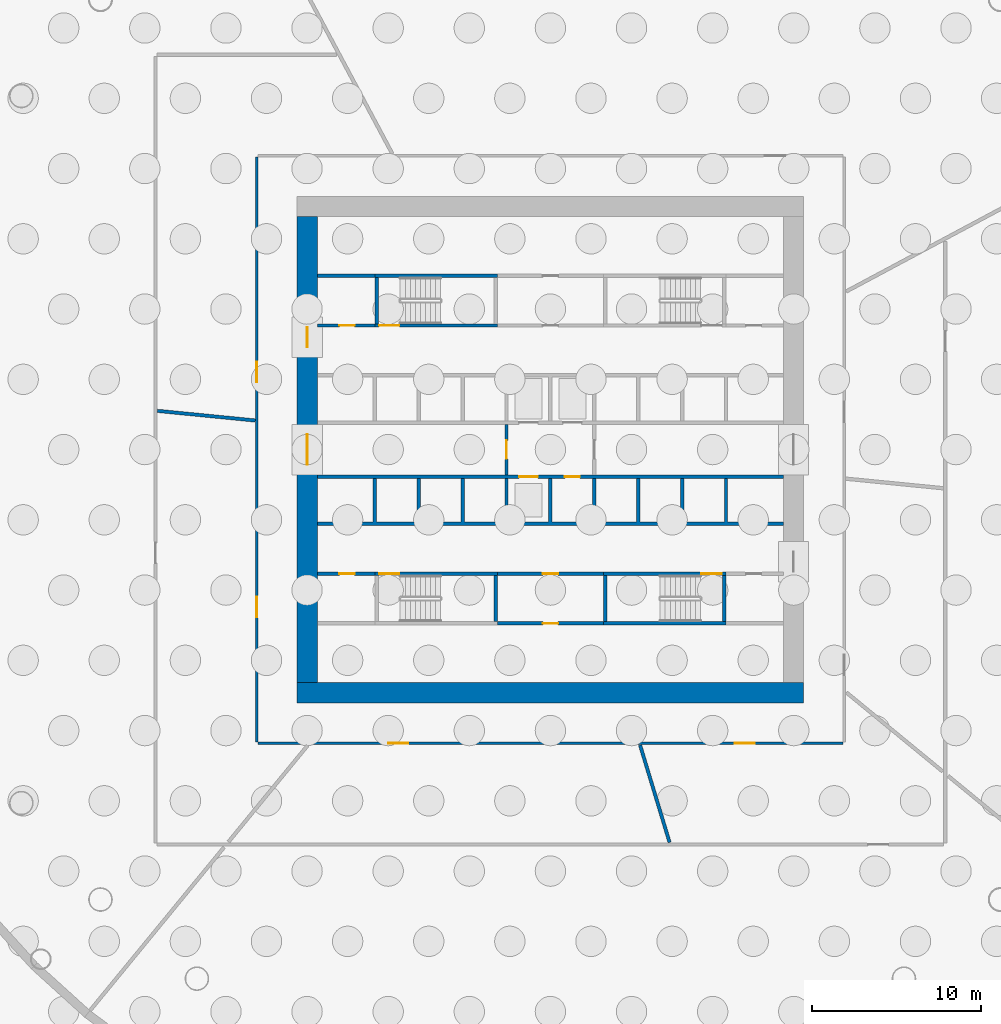
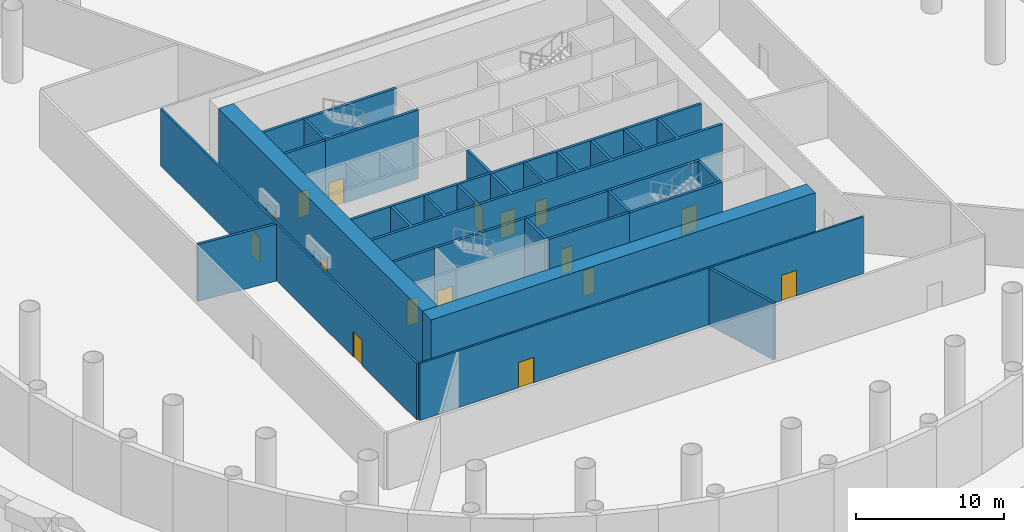
# One storey, part 6 of 12: 23 walls, 16 doors, 16 openings.
"""IFC4 building model written with IfcOpenShell, lengths in metres."""

from ifc_helpers import new_model, si_unit, direction, frame, frame_2d, origin, place, context, subcontext, project, spatial, polyline, rectangle, outline, extrude, material, layer, layer_set, type_object, element, fill, save


model = new_model("IFC4")

# Units and contexts
model_context = context("Model", 3, precision=1e-05, world=origin(), true_north=direction((0.0, 1.0)))
body_context = subcontext(model_context, "Body", "Model", "MODEL_VIEW")
ifc_project = project(units=[si_unit("LENGTHUNIT", "METRE"), si_unit("AREAUNIT", "SQUARE_METRE"), si_unit("VOLUMEUNIT", "CUBIC_METRE"), si_unit("PLANEANGLEUNIT", "RADIAN"), si_unit("MASSUNIT", "GRAM", prefix="KILO")], contexts=[model_context])

# Site, building, storey
site_placement = place(None, origin())
site = spatial("IfcSite", under=ifc_project, at=site_placement, CompositionType="ELEMENT")
building_placement = place(site_placement, origin())
building = spatial("IfcBuilding", under=site, at=building_placement, Name="Corvane Civic Tower", CompositionType="ELEMENT")
storey_placement = place(building_placement, frame((0.0, 0.0, -6.0)))
storey = spatial("IfcBuildingStorey", under=building, at=storey_placement, Name="B1", CompositionType="ELEMENT", Elevation=-6.0)

# Wall
ifc_material_1 = material(Name="Concrete C80/95", Category="concrete")
ifc_layer_1 = layer(ifc_material_1, 1.199951171875)
ifc_layer_set_1 = layer_set([ifc_layer_1], Name="Concrete C80/95")
wall_type_1 = type_object("IfcWallType", Name="CORE WALL 1200 C80/95", PredefinedType="SHEAR", material=ifc_layer_set_1)
wall_1_placement = place(storey_placement, frame((-15.0, -14.39990234375, -0.300048828125), z_axis=(0.0, 0.0, 1.0), x_axis=(1.0, 0.0, 0.0)))
element("IfcWall", 1, at=wall_1_placement, inside=storey, type_object=wall_type_1, Name="W-B1-core-S", PredefinedType="SHEAR", context=body_context, shape_type="SweptSolid", body=[
    extrude(rectangle(XDim=30.0, YDim=1.199951171875, at=frame_2d((15.0, 0.0))), origin(), (0.0, 0.0, 1.0), 6.300048828125),
])

# Wall, openings, doors
wall_2_placement = place(storey_placement, frame((-14.39990234375, -13.800048828125, -0.300048828125), z_axis=(0.0, 0.0, 1.0), x_axis=(0.0, 1.0, 0.0)))
wall_2 = element("IfcWall", 2, at=wall_2_placement, inside=storey, type_object=wall_type_1, Name="W-B1-core-W", PredefinedType="SHEAR", context=body_context, shape_type="SweptSolid", body=[
    extrude(rectangle(XDim=27.60009765625, YDim=1.199951171875, at=frame_2d((13.800048828125, 0.0))), origin(), (0.0, 0.0, 1.0), 6.300048828125),
])
opening_1_placement = place(wall_2_placement, frame((12.89990234375, 0.0, 0.300048828125)))
opening_1 = element("IfcOpeningElement", 3, at=opening_1_placement, cuts=wall_2, Name="Opening B1.C16", PredefinedType="OPENING", context=body_context, shape_type="SweptSolid", body=[
    extrude(rectangle(XDim=1.800048828125, YDim=2.10009765625, at=frame_2d((0.89990234375, 1.050048828125))), frame((0.0, 0.60986328125, 0.0), z_axis=(0.0, -1.0, 0.0), x_axis=(1.0, 0.0, 0.0)), (0.0, 0.0, 1.0), 1.219970703125),
])
opening_2_placement = place(wall_2_placement, frame((19.85009765625, 0.0, 0.300048828125)))
opening_2 = element("IfcOpeningElement", 4, at=opening_2_placement, cuts=wall_2, Name="Opening B1.C18", PredefinedType="OPENING", context=body_context, shape_type="SweptSolid", body=[
    extrude(rectangle(XDim=1.199951171875, YDim=2.10009765625, at=frame_2d((0.60009765625, 1.050048828125))), frame((0.0, 0.60986328125, 0.0), z_axis=(0.0, -1.0, 0.0), x_axis=(1.0, 0.0, 0.0)), (0.0, 0.0, 1.0), 1.219970703125),
])
ifc_material_2 = material(Name="Steel fire door leaf", Category="steel")
door_type_1 = type_object("IfcDoorType", Name="CR-DOOR-CORE-1800", OperationType="DOUBLE_DOOR_SINGLE_SWING", PredefinedType="DOOR", material=ifc_material_2)
door_1_placement = place(opening_1_placement, origin())
door_1 = element("IfcDoor", 5, at=door_1_placement, inside=storey, type_object=door_type_1, Name="B1 door", OperationType="DOUBLE_DOOR_SINGLE_SWING", OverallHeight=2.10009765625, OverallWidth=1.800048828125, PredefinedType="DOOR", context=body_context, shape_type="SweptSolid", body=[
    extrude(rectangle(XDim=1.800048828125, YDim=2.10009765625, at=frame_2d((0.89990234375, 1.050048828125))), frame((0.0, 0.02490234375, 0.0), z_axis=(0.0, -1.0, 0.0), x_axis=(1.0, 0.0, 0.0)), (0.0, 0.0, 1.0), 0.050048828125),
])
fill(opening_1, door_1)
door_2_placement = place(opening_2_placement, origin())
door_2 = element("IfcDoor", 6, at=door_2_placement, inside=storey, type_object=door_type_1, Name="B1 door", OperationType="DOUBLE_DOOR_SINGLE_SWING", OverallHeight=2.10009765625, OverallWidth=1.199951171875, PredefinedType="DOOR", context=body_context, shape_type="SweptSolid", body=[
    extrude(rectangle(XDim=1.199951171875, YDim=2.10009765625, at=frame_2d((0.60009765625, 1.050048828125))), frame((0.0, 0.02490234375, 0.0), z_axis=(0.0, -1.0, 0.0), x_axis=(1.0, 0.0, 0.0)), (0.0, 0.0, 1.0), 0.050048828125),
])
fill(opening_2, door_2)

# Wall, opening, door
ifc_material_3 = material(Name="Concrete C30/37", Category="concrete")
ifc_layer_2 = layer(ifc_material_3, 0.199951171875)
ifc_layer_set_2 = layer_set([ifc_layer_2], Name="Concrete C30/37")
wall_type_2 = type_object("IfcWallType", Name="CR-WALL-200", PredefinedType="PARTITIONING", material=ifc_layer_set_2)
wall_3_placement = place(storey_placement, frame((-3.14990234375, -10.300048828125, 0.0), z_axis=(0.0, 0.0, 1.0), x_axis=(1.0, 0.0, 0.0)))
wall_3 = element("IfcWall", 7, at=wall_3_placement, inside=storey, type_object=wall_type_2, Name="B1 partition wall", PredefinedType="PARTITIONING", context=body_context, shape_type="SweptSolid", body=[
    extrude(rectangle(XDim=6.2998046875, YDim=0.199951171875, at=frame_2d((3.14990234375, 0.0))), origin(), (0.0, 0.0, 1.0), 5.699951171875),
])
opening_3_placement = place(wall_3_placement, frame((2.699951171875, 0.0, 0.0)))
opening_3 = element("IfcOpeningElement", 8, at=opening_3_placement, cuts=wall_3, Name="Opening B1.C05", PredefinedType="OPENING", context=body_context, shape_type="SweptSolid", body=[
    extrude(rectangle(XDim=0.89990234375, YDim=2.10009765625, at=frame_2d((0.449951171875, 1.050048828125))), frame((0.0, 0.10986328125, 0.0), z_axis=(0.0, -1.0, 0.0), x_axis=(1.0, 0.0, 0.0)), (0.0, 0.0, 1.0), 0.219970703125),
])
ifc_material_4 = material(Name="Steel fire door leaf", Category="steel")
door_type_2 = type_object("IfcDoorType", Name="CR-DOOR-900", OperationType="SINGLE_SWING_LEFT", PredefinedType="DOOR", material=ifc_material_4)
door_3_placement = place(opening_3_placement, origin())
door_3 = element("IfcDoor", 9, at=door_3_placement, inside=storey, type_object=door_type_2, Name="B1 door", OperationType="SINGLE_SWING_LEFT", OverallHeight=2.10009765625, OverallWidth=0.89990234375, PredefinedType="DOOR", context=body_context, shape_type="SweptSolid", body=[
    extrude(rectangle(XDim=0.89990234375, YDim=2.10009765625, at=frame_2d((0.449951171875, 1.050048828125))), frame((0.0, 0.02490234375, 0.0), z_axis=(0.0, -1.0, 0.0), x_axis=(1.0, 0.0, 0.0)), (0.0, 0.0, 1.0), 0.050048828125),
])
fill(opening_3, door_3)

wall_4_placement = place(storey_placement, frame((-13.800048828125, -7.35009765625, 0.0), z_axis=(0.0, 0.0, 1.0), x_axis=(1.0, 0.0, 0.0)))
wall_4 = element("IfcWall", 10, at=wall_4_placement, inside=storey, type_object=wall_type_2, Name="B1 core partition wall", PredefinedType="PARTITIONING", context=body_context, shape_type="SweptSolid", body=[
    extrude(rectangle(XDim=3.400146484375, YDim=0.199951171875, at=frame_2d((1.7001953125, 0.0))), origin(), (0.0, 0.0, 1.0), 5.699951171875),
])
opening_4_placement = place(wall_4_placement, frame((1.300048828125, 0.0, 0.0)))
opening_4 = element("IfcOpeningElement", 11, at=opening_4_placement, cuts=wall_4, Name="Opening B1.C07", PredefinedType="OPENING", context=body_context, shape_type="SweptSolid", body=[
    extrude(rectangle(XDim=0.89990234375, YDim=2.10009765625, at=frame_2d((0.449951171875, 1.050048828125))), frame((0.0, 0.10986328125, 0.0), z_axis=(0.0, -1.0, 0.0), x_axis=(1.0, 0.0, 0.0)), (0.0, 0.0, 1.0), 0.219970703125),
])
door_4_placement = place(opening_4_placement, origin())
door_4 = element("IfcDoor", 12, at=door_4_placement, inside=storey, type_object=door_type_2, Name="B1 door", OperationType="SINGLE_SWING_LEFT", OverallHeight=2.10009765625, OverallWidth=0.89990234375, PredefinedType="DOOR", context=body_context, shape_type="SweptSolid", body=[
    extrude(rectangle(XDim=0.89990234375, YDim=2.10009765625, at=frame_2d((0.449951171875, 1.050048828125))), frame((0.0, 0.02490234375, 0.0), z_axis=(0.0, -1.0, 0.0), x_axis=(1.0, 0.0, 0.0)), (0.0, 0.0, 1.0), 0.050048828125),
])
fill(opening_4, door_4)

wall_5_placement = place(storey_placement, frame((-3.14990234375, -7.35009765625, 0.0), z_axis=(0.0, 0.0, 1.0), x_axis=(1.0, 0.0, 0.0)))
wall_5 = element("IfcWall", 13, at=wall_5_placement, inside=storey, type_object=wall_type_2, Name="B1 core partition wall", PredefinedType="PARTITIONING", context=body_context, shape_type="SweptSolid", body=[
    extrude(rectangle(XDim=6.2998046875, YDim=0.199951171875, at=frame_2d((3.14990234375, 0.0))), origin(), (0.0, 0.0, 1.0), 5.699951171875),
])
opening_5_placement = place(wall_5_placement, frame((2.699951171875, 0.0, 0.0)))
opening_5 = element("IfcOpeningElement", 14, at=opening_5_placement, cuts=wall_5, Name="Opening B1.C03", PredefinedType="OPENING", context=body_context, shape_type="SweptSolid", body=[
    extrude(rectangle(XDim=0.89990234375, YDim=2.10009765625, at=frame_2d((0.449951171875, 1.050048828125))), frame((0.0, 0.10986328125, 0.0), z_axis=(0.0, -1.0, 0.0), x_axis=(1.0, 0.0, 0.0)), (0.0, 0.0, 1.0), 0.219970703125),
])
door_5_placement = place(opening_5_placement, origin())
door_5 = element("IfcDoor", 15, at=door_5_placement, inside=storey, type_object=door_type_2, Name="B1 door", OperationType="SINGLE_SWING_LEFT", OverallHeight=2.10009765625, OverallWidth=0.89990234375, PredefinedType="DOOR", context=body_context, shape_type="SweptSolid", body=[
    extrude(rectangle(XDim=0.89990234375, YDim=2.10009765625, at=frame_2d((0.449951171875, 1.050048828125))), frame((0.0, 0.02490234375, 0.0), z_axis=(0.0, -1.0, 0.0), x_axis=(1.0, 0.0, 0.0)), (0.0, 0.0, 1.0), 0.050048828125),
])
fill(opening_5, door_5)

# Wall, openings, doors
wall_6_placement = place(storey_placement, frame((-13.800048828125, -1.60009765625, 0.0), z_axis=(0.0, 0.0, 1.0), x_axis=(1.0, 0.0, 0.0)))
wall_6 = element("IfcWall", 16, at=wall_6_placement, inside=storey, type_object=wall_type_2, Name="B1 lift shaft wall", PredefinedType="PARTITIONING", context=body_context, shape_type="SweptSolid", body=[
    extrude(rectangle(XDim=27.60009765625, YDim=0.199951171875, at=frame_2d((13.800048828125, 0.0))), origin(), (0.0, 0.0, 1.0), 5.699951171875),
])
opening_6_placement = place(wall_6_placement, frame((11.949951171875, 0.0, 0.0)))
opening_6 = element("IfcOpeningElement", 17, at=opening_6_placement, cuts=wall_6, Name="Opening LD", PredefinedType="OPENING", context=body_context, shape_type="SweptSolid", body=[
    extrude(rectangle(XDim=1.10009765625, YDim=2.10009765625, at=frame_2d((0.550048828125, 1.050048828125))), frame((0.0, 0.10986328125, 0.0), z_axis=(0.0, -1.0, 0.0), x_axis=(1.0, 0.0, 0.0)), (0.0, 0.0, 1.0), 0.219970703125),
])
opening_7_placement = place(wall_6_placement, frame((14.64990234375, 0.0, 0.0)))
opening_7 = element("IfcOpeningElement", 18, at=opening_7_placement, cuts=wall_6, Name="Opening B1.C01", PredefinedType="OPENING", context=body_context, shape_type="SweptSolid", body=[
    extrude(rectangle(XDim=0.89990234375, YDim=2.10009765625, at=frame_2d((0.449951171875, 1.050048828125))), frame((0.0, 0.10986328125, 0.0), z_axis=(0.0, -1.0, 0.0), x_axis=(1.0, 0.0, 0.0)), (0.0, 0.0, 1.0), 0.219970703125),
])
door_6_placement = place(opening_7_placement, origin())
door_6 = element("IfcDoor", 19, at=door_6_placement, inside=storey, type_object=door_type_2, Name="B1 door", OperationType="SINGLE_SWING_LEFT", OverallHeight=2.10009765625, OverallWidth=0.89990234375, PredefinedType="DOOR", context=body_context, shape_type="SweptSolid", body=[
    extrude(rectangle(XDim=0.89990234375, YDim=2.10009765625, at=frame_2d((0.449951171875, 1.050048828125))), frame((0.0, 0.02490234375, 0.0), z_axis=(0.0, -1.0, 0.0), x_axis=(1.0, 0.0, 0.0)), (0.0, 0.0, 1.0), 0.050048828125),
])
fill(opening_7, door_6)
ifc_material_5 = material(Name="Stainless steel 316 door leaves", Category="steel")
door_type_3 = type_object("IfcDoorType", Name="LD", OperationType="DOUBLE_DOOR_SLIDING", PredefinedType="DOOR", material=ifc_material_5)
door_7_placement = place(opening_6_placement, origin())
door_7 = element("IfcDoor", 20, at=door_7_placement, inside=storey, type_object=door_type_3, Name="B1 landing door", OperationType="DOUBLE_DOOR_SLIDING", OverallHeight=2.10009765625, OverallWidth=1.10009765625, PredefinedType="DOOR", context=body_context, shape_type="SweptSolid", body=[
    extrude(rectangle(XDim=1.10009765625, YDim=2.10009765625, at=frame_2d((0.550048828125, 1.050048828125))), frame((0.0, 0.02490234375, 0.0), z_axis=(0.0, -1.0, 0.0), x_axis=(1.0, 0.0, 0.0)), (0.0, 0.0, 1.0), 0.050048828125),
])
fill(opening_6, door_7)

# Wall, opening, door
wall_7_placement = place(storey_placement, frame((-13.800048828125, 7.35009765625, 0.0), z_axis=(0.0, 0.0, 1.0), x_axis=(1.0, 0.0, 0.0)))
wall_7 = element("IfcWall", 21, at=wall_7_placement, inside=storey, type_object=wall_type_2, Name="B1 core partition wall", PredefinedType="PARTITIONING", context=body_context, shape_type="SweptSolid", body=[
    extrude(rectangle(XDim=3.400146484375, YDim=0.199951171875, at=frame_2d((1.7001953125, 0.0))), origin(), (0.0, 0.0, 1.0), 5.699951171875),
])
opening_8_placement = place(wall_7_placement, frame((1.300048828125, 0.0, 0.0)))
opening_8 = element("IfcOpeningElement", 22, at=opening_8_placement, cuts=wall_7, Name="Opening B1.C06", PredefinedType="OPENING", context=body_context, shape_type="SweptSolid", body=[
    extrude(rectangle(XDim=0.89990234375, YDim=2.10009765625, at=frame_2d((0.449951171875, 1.050048828125))), frame((0.0, 0.10986328125, 0.0), z_axis=(0.0, -1.0, 0.0), x_axis=(1.0, 0.0, 0.0)), (0.0, 0.0, 1.0), 0.219970703125),
])
door_8_placement = place(opening_8_placement, origin())
door_8 = element("IfcDoor", 23, at=door_8_placement, inside=storey, type_object=door_type_2, Name="B1 door", OperationType="SINGLE_SWING_LEFT", OverallHeight=2.10009765625, OverallWidth=0.89990234375, PredefinedType="DOOR", context=body_context, shape_type="SweptSolid", body=[
    extrude(rectangle(XDim=0.89990234375, YDim=2.10009765625, at=frame_2d((0.449951171875, 1.050048828125))), frame((0.0, 0.02490234375, 0.0), z_axis=(0.0, -1.0, 0.0), x_axis=(1.0, 0.0, 0.0)), (0.0, 0.0, 1.0), 0.050048828125),
])
fill(opening_8, door_8)

wall_8_placement = place(storey_placement, frame((-2.60009765625, -1.5, 0.0), z_axis=(0.0, 0.0, 1.0), x_axis=(0.0, 1.0, 0.0)))
wall_8 = element("IfcWall", 24, at=wall_8_placement, inside=storey, type_object=wall_type_2, Name="B1 firefighting lobby wall", PredefinedType="PARTITIONING", context=body_context, shape_type="SweptSolid", body=[
    extrude(rectangle(XDim=3.0, YDim=0.199951171875, at=frame_2d((1.5, 0.0))), origin(), (0.0, 0.0, 1.0), 5.699951171875),
])
opening_9_placement = place(wall_8_placement, frame((0.949951171875, 0.0, 0.0)))
opening_9 = element("IfcOpeningElement", 25, at=opening_9_placement, cuts=wall_8, Name="Opening B1.C14", PredefinedType="OPENING", context=body_context, shape_type="SweptSolid", body=[
    extrude(rectangle(XDim=1.10009765625, YDim=2.10009765625, at=frame_2d((0.550048828125, 1.050048828125))), frame((0.0, 0.10986328125, 0.0), z_axis=(0.0, -1.0, 0.0), x_axis=(1.0, 0.0, 0.0)), (0.0, 0.0, 1.0), 0.219970703125),
])
ifc_material_6 = material(Name="Steel fire door leaf", Category="steel")
door_type_4 = type_object("IfcDoorType", Name="CR-DOOR-FFL-1100", OperationType="SINGLE_SWING_LEFT", PredefinedType="DOOR", material=ifc_material_6)
door_9_placement = place(opening_9_placement, origin())
door_9 = element("IfcDoor", 26, at=door_9_placement, inside=storey, type_object=door_type_4, Name="B1 lobby door", OperationType="SINGLE_SWING_LEFT", OverallHeight=2.10009765625, OverallWidth=1.10009765625, PredefinedType="DOOR", context=body_context, shape_type="SweptSolid", body=[
    extrude(rectangle(XDim=1.10009765625, YDim=2.10009765625, at=frame_2d((0.550048828125, 1.050048828125))), frame((0.0, 0.02490234375, 0.0), z_axis=(0.0, -1.0, 0.0), x_axis=(1.0, 0.0, 0.0)), (0.0, 0.0, 1.0), 0.050048828125),
])
fill(opening_9, door_9)

# Walls
wall_9_placement = place(storey_placement, origin())
element("IfcWall", 27, at=wall_9_placement, inside=storey, type_object=wall_type_2, Name="B1 core partition wall", PredefinedType="PARTITIONING", context=body_context, shape_type="SweptSolid", body=[
    extrude(outline(polyline([(-13.800048828125, 10.199951171875), (-13.800048828125, 10.39990234375), (-10.39990234375, 10.39990234375), (-10.39990234375, 10.199951171875), (-13.800048828125, 10.199951171875)])), origin(), (0.0, 0.0, 1.0), 5.699951171875),
])
wall_10_placement = place(storey_placement, origin())
element("IfcWall", 28, at=wall_10_placement, inside=storey, type_object=wall_type_2, Name="B1 core partition wall", PredefinedType="PARTITIONING", context=body_context, shape_type="SweptSolid", body=[
    extrude(outline(polyline([(-10.5, -1.699951171875), (-10.300048828125, -1.699951171875), (-10.300048828125, -4.300048828125), (-7.89990234375, -4.300048828125), (-7.89990234375, -1.699951171875), (-7.699951171875, -1.699951171875), (-7.699951171875, -4.300048828125), (-5.300048828125, -4.300048828125), (-5.300048828125, -1.699951171875), (-5.10009765625, -1.699951171875), (-5.10009765625, -4.300048828125), (-2.699951171875, -4.300048828125), (-2.699951171875, -1.699951171875), (-2.5, -1.699951171875), (-2.5, -4.300048828125), (-0.10009765625, -4.300048828125), (-0.10009765625, -1.699951171875), (0.10009765625, -1.699951171875), (0.10009765625, -4.300048828125), (2.5, -4.300048828125), (2.5, -1.699951171875), (2.699951171875, -1.699951171875), (2.699951171875, -4.300048828125), (5.10009765625, -4.300048828125), (5.10009765625, -1.699951171875), (5.300048828125, -1.699951171875), (5.300048828125, -4.300048828125), (7.699951171875, -4.300048828125), (7.699951171875, -1.699951171875), (7.89990234375, -1.699951171875), (7.89990234375, -4.300048828125), (10.300048828125, -4.300048828125), (10.300048828125, -1.699951171875), (10.5, -1.699951171875), (10.5, -4.300048828125), (13.800048828125, -4.300048828125), (13.800048828125, -4.5), (-13.800048828125, -4.5), (-13.800048828125, -4.300048828125), (-10.5, -4.300048828125), (-10.5, -1.699951171875)])), origin(), (0.0, 0.0, 1.0), 5.699951171875),
])
ifc_material_7 = material(Name="Gypsum fibreboard")
ifc_layer_3 = layer(ifc_material_7, 0.199951171875)
ifc_layer_set_3 = layer_set([ifc_layer_3], Name="Gypsum fibreboard")
wall_type_3 = type_object("IfcWallType", Name="Plant and refuge wall 200 EI 120", PredefinedType="PARTITIONING", material=ifc_layer_set_3)
wall_11_placement = place(storey_placement, frame((5.309814453125, -17.50390625, 0.0), z_axis=(0.0, 0.0, 1.0), x_axis=(0.290260365126, -0.956947710399, 0.0)))
element("IfcWall", 29, at=wall_11_placement, inside=storey, type_object=wall_type_3, Name="Partition B1.007", PredefinedType="PARTITIONING", context=body_context, shape_type="SweptSolid", body=[
    extrude(rectangle(XDim=6.026611328125, YDim=0.199951171875, at=frame_2d((3.01318359375, 0.0))), origin(), (0.0, 0.0, 1.0), 4.699951171875),
])
wall_12_placement = place(storey_placement, frame((-23.290283203125, 2.2939453125, 0.0), z_axis=(0.0, 0.0, 1.0), x_axis=(0.995184837225, -0.098016017864, 0.0)))
element("IfcWall", 30, at=wall_12_placement, inside=storey, type_object=wall_type_3, Name="Partition B1.013", PredefinedType="PARTITIONING", context=body_context, shape_type="SweptSolid", body=[
    extrude(rectangle(XDim=5.83349609375, YDim=0.199951171875, at=frame_2d((2.916748046875, 0.0))), origin(), (0.0, 0.0, 1.0), 4.699951171875),
])

# Wall, opening, door
ifc_material_8 = material(Name="Concrete C50/60", Category="concrete")
ifc_layer_4 = layer(ifc_material_8, 0.199951171875)
ifc_layer_set_4 = layer_set([ifc_layer_4], Name="Concrete C50/60")
wall_type_4 = type_object("IfcWallType", Name="ST-WALL-200", PredefinedType="SHEAR", material=ifc_layer_set_4)
wall_13_placement = place(storey_placement, frame((-10.39990234375, -7.35009765625, 0.0), z_axis=(0.0, 0.0, 1.0), x_axis=(1.0, 0.0, 0.0)))
wall_13 = element("IfcWall", 31, at=wall_13_placement, inside=storey, type_object=wall_type_4, Name="B1 stair enclosure wall", PredefinedType="SHEAR", context=body_context, shape_type="SweptSolid", body=[
    extrude(rectangle(XDim=7.25, YDim=0.199951171875, at=frame_2d((3.625, 0.0))), origin(), (0.0, 0.0, 1.0), 5.699951171875),
])
opening_10_placement = place(wall_13_placement, frame((0.25, 0.0, 0.0)))
opening_10 = element("IfcOpeningElement", 32, at=opening_10_placement, cuts=wall_13, Name="Opening B1.C13", PredefinedType="OPENING", context=body_context, shape_type="SweptSolid", body=[
    extrude(rectangle(XDim=1.199951171875, YDim=2.10009765625, at=frame_2d((0.60009765625, 1.050048828125))), frame((0.0, 0.10986328125, 0.0), z_axis=(0.0, -1.0, 0.0), x_axis=(1.0, 0.0, 0.0)), (0.0, 0.0, 1.0), 0.219970703125),
])
ifc_material_9 = material(Name="Steel fire door leaf", Category="steel")
door_type_5 = type_object("IfcDoorType", Name="ST-DOOR-1200", OperationType="SINGLE_SWING_RIGHT", PredefinedType="DOOR", material=ifc_material_9)
door_10_placement = place(opening_10_placement, origin())
door_10 = element("IfcDoor", 33, at=door_10_placement, inside=storey, type_object=door_type_5, Name="B1 stair door", OperationType="SINGLE_SWING_RIGHT", OverallHeight=2.10009765625, OverallWidth=1.199951171875, PredefinedType="DOOR", context=body_context, shape_type="SweptSolid", body=[
    extrude(rectangle(XDim=1.199951171875, YDim=2.10009765625, at=frame_2d((0.60009765625, 1.050048828125))), frame((0.0, 0.02490234375, 0.0), z_axis=(0.0, -1.0, 0.0), x_axis=(1.0, 0.0, 0.0)), (0.0, 0.0, 1.0), 0.050048828125),
])
fill(opening_10, door_10)

wall_14_placement = place(storey_placement, frame((3.14990234375, -7.35009765625, 0.0), z_axis=(0.0, 0.0, 1.0), x_axis=(1.0, 0.0, 0.0)))
wall_14 = element("IfcWall", 34, at=wall_14_placement, inside=storey, type_object=wall_type_4, Name="B1 stair enclosure wall", PredefinedType="SHEAR", context=body_context, shape_type="SweptSolid", body=[
    extrude(rectangle(XDim=7.25, YDim=0.199951171875, at=frame_2d((3.625, 0.0))), origin(), (0.0, 0.0, 1.0), 5.699951171875),
])
opening_11_placement = place(wall_14_placement, frame((5.800048828125, 0.0, 0.0)))
opening_11 = element("IfcOpeningElement", 35, at=opening_11_placement, cuts=wall_14, Name="Opening B1.C12", PredefinedType="OPENING", context=body_context, shape_type="SweptSolid", body=[
    extrude(rectangle(XDim=1.199951171875, YDim=2.10009765625, at=frame_2d((0.60009765625, 1.050048828125))), frame((0.0, 0.10986328125, 0.0), z_axis=(0.0, -1.0, 0.0), x_axis=(1.0, 0.0, 0.0)), (0.0, 0.0, 1.0), 0.219970703125),
])
door_11_placement = place(opening_11_placement, origin())
door_11 = element("IfcDoor", 36, at=door_11_placement, inside=storey, type_object=door_type_5, Name="B1 stair door", OperationType="SINGLE_SWING_RIGHT", OverallHeight=2.10009765625, OverallWidth=1.199951171875, PredefinedType="DOOR", context=body_context, shape_type="SweptSolid", body=[
    extrude(rectangle(XDim=1.199951171875, YDim=2.10009765625, at=frame_2d((0.60009765625, 1.050048828125))), frame((0.0, 0.02490234375, 0.0), z_axis=(0.0, -1.0, 0.0), x_axis=(1.0, 0.0, 0.0)), (0.0, 0.0, 1.0), 0.050048828125),
])
fill(opening_11, door_11)

wall_15_placement = place(storey_placement, frame((-10.39990234375, 7.35009765625, 0.0), z_axis=(0.0, 0.0, 1.0), x_axis=(1.0, 0.0, 0.0)))
wall_15 = element("IfcWall", 37, at=wall_15_placement, inside=storey, type_object=wall_type_4, Name="B1 stair enclosure wall", PredefinedType="SHEAR", context=body_context, shape_type="SweptSolid", body=[
    extrude(rectangle(XDim=7.25, YDim=0.199951171875, at=frame_2d((3.625, 0.0))), origin(), (0.0, 0.0, 1.0), 5.699951171875),
])
opening_12_placement = place(wall_15_placement, frame((0.25, 0.0, 0.0)))
opening_12 = element("IfcOpeningElement", 38, at=opening_12_placement, cuts=wall_15, Name="Opening B1.C11", PredefinedType="OPENING", context=body_context, shape_type="SweptSolid", body=[
    extrude(rectangle(XDim=1.199951171875, YDim=2.10009765625, at=frame_2d((0.60009765625, 1.050048828125))), frame((0.0, 0.10986328125, 0.0), z_axis=(0.0, -1.0, 0.0), x_axis=(1.0, 0.0, 0.0)), (0.0, 0.0, 1.0), 0.219970703125),
])
door_12_placement = place(opening_12_placement, origin())
door_12 = element("IfcDoor", 39, at=door_12_placement, inside=storey, type_object=door_type_5, Name="B1 stair door", OperationType="SINGLE_SWING_RIGHT", OverallHeight=2.10009765625, OverallWidth=1.199951171875, PredefinedType="DOOR", context=body_context, shape_type="SweptSolid", body=[
    extrude(rectangle(XDim=1.199951171875, YDim=2.10009765625, at=frame_2d((0.60009765625, 1.050048828125))), frame((0.0, 0.02490234375, 0.0), z_axis=(0.0, -1.0, 0.0), x_axis=(1.0, 0.0, 0.0)), (0.0, 0.0, 1.0), 0.050048828125),
])
fill(opening_12, door_12)

# Walls
wall_16_placement = place(storey_placement, origin())
element("IfcWall", 40, at=wall_16_placement, inside=storey, type_object=wall_type_4, Name="B1 stair enclosure wall", PredefinedType="SHEAR", context=body_context, shape_type="SweptSolid", body=[
    extrude(outline(polyline([(-3.14990234375, 10.199951171875), (-10.39990234375, 10.199951171875), (-10.39990234375, 10.39990234375), (-3.14990234375, 10.39990234375), (-3.14990234375, 10.199951171875)])), origin(), (0.0, 0.0, 1.0), 5.699951171875),
])
wall_17_placement = place(storey_placement, origin())
element("IfcWall", 41, at=wall_17_placement, inside=storey, type_object=wall_type_4, Name="B1 stair enclosure wall", PredefinedType="SHEAR", context=body_context, shape_type="SweptSolid", body=[
    extrude(outline(polyline([(10.39990234375, -10.39990234375), (3.14990234375, -10.39990234375), (3.14990234375, -10.199951171875), (10.39990234375, -10.199951171875), (10.39990234375, -10.39990234375)])), origin(), (0.0, 0.0, 1.0), 5.699951171875),
])
wall_18_placement = place(storey_placement, origin())
element("IfcWall", 42, at=wall_18_placement, inside=storey, type_object=wall_type_4, Name="B1 stair enclosure wall", PredefinedType="SHEAR", context=body_context, shape_type="SweptSolid", body=[
    extrude(outline(polyline([(-3.14990234375, -7.449951171875), (-3.14990234375, -10.199951171875), (-3.35009765625, -10.199951171875), (-3.35009765625, -7.449951171875), (-3.14990234375, -7.449951171875)])), origin(), (0.0, 0.0, 1.0), 5.699951171875),
])
wall_19_placement = place(storey_placement, origin())
element("IfcWall", 43, at=wall_19_placement, inside=storey, type_object=wall_type_4, Name="B1 stair enclosure wall", PredefinedType="SHEAR", context=body_context, shape_type="SweptSolid", body=[
    extrude(outline(polyline([(3.35009765625, -7.449951171875), (3.35009765625, -10.199951171875), (3.14990234375, -10.199951171875), (3.14990234375, -7.449951171875), (3.35009765625, -7.449951171875)])), origin(), (0.0, 0.0, 1.0), 5.699951171875),
])
wall_20_placement = place(storey_placement, origin())
element("IfcWall", 44, at=wall_20_placement, inside=storey, type_object=wall_type_4, Name="B1 stair enclosure wall", PredefinedType="SHEAR", context=body_context, shape_type="SweptSolid", body=[
    extrude(outline(polyline([(-10.199951171875, 7.449951171875), (-10.39990234375, 7.449951171875), (-10.39990234375, 10.199951171875), (-10.199951171875, 10.199951171875), (-10.199951171875, 7.449951171875)])), origin(), (0.0, 0.0, 1.0), 5.699951171875),
])
wall_21_placement = place(storey_placement, origin())
element("IfcWall", 45, at=wall_21_placement, inside=storey, type_object=wall_type_4, Name="B1 stair enclosure wall", PredefinedType="SHEAR", context=body_context, shape_type="SweptSolid", body=[
    extrude(outline(polyline([(10.39990234375, -7.449951171875), (10.39990234375, -10.199951171875), (10.199951171875, -10.199951171875), (10.199951171875, -7.449951171875), (10.39990234375, -7.449951171875)])), origin(), (0.0, 0.0, 1.0), 5.699951171875),
])

# Wall, openings, doors
ifc_material_10 = material(Name="Plasterboard")
ifc_layer_5 = layer(ifc_material_10, 0.14990234375)
ifc_layer_set_5 = layer_set([ifc_layer_5], Name="Plasterboard")
wall_type_5 = type_object("IfcWallType", Name="Tenancy wall 150 EI 60", PredefinedType="PARTITIONING", material=ifc_layer_set_5)
wall_22_placement = place(storey_placement, frame((-17.324951171875, -17.39990234375, 0.0), z_axis=(0.0, 0.0, 1.0), x_axis=(1.0, 0.0, 0.0)))
wall_22 = element("IfcWall", 46, at=wall_22_placement, inside=storey, type_object=wall_type_5, Name="Partition B1.009", PredefinedType="PARTITIONING", context=body_context, shape_type="SweptSolid", body=[
    extrude(rectangle(XDim=34.64990234375, YDim=0.14990234375, at=frame_2d((17.324951171875, 0.0))), origin(), (0.0, 0.0, 1.0), 4.699951171875),
])
opening_13_placement = place(wall_22_placement, frame((28.23486328125, 0.0, 0.0)))
opening_13 = element("IfcOpeningElement", 47, at=opening_13_placement, cuts=wall_22, Name="Opening B1.009", PredefinedType="OPENING", context=body_context, shape_type="SweptSolid", body=[
    extrude(rectangle(XDim=1.199951171875, YDim=2.10009765625, at=frame_2d((0.60009765625, 1.050048828125))), frame((0.0, 0.0849609375, 0.0), z_axis=(0.0, -1.0, 0.0), x_axis=(1.0, 0.0, 0.0)), (0.0, 0.0, 1.0), 0.169921875),
])
opening_14_placement = place(wall_22_placement, frame((7.70654296875, 0.0, 0.0)))
opening_14 = element("IfcOpeningElement", 48, at=opening_14_placement, cuts=wall_22, Name="Opening B1.010", PredefinedType="OPENING", context=body_context, shape_type="SweptSolid", body=[
    extrude(rectangle(XDim=1.199951171875, YDim=2.10009765625, at=frame_2d((0.60009765625, 1.050048828125))), frame((0.0, 0.0849609375, 0.0), z_axis=(0.0, -1.0, 0.0), x_axis=(1.0, 0.0, 0.0)), (0.0, 0.0, 1.0), 0.169921875),
])
ifc_material_11 = material(Name="Steel and timber", Category="steel")
door_type_6 = type_object("IfcDoorType", Name="Fire door FD60 1200", OperationType="NOTDEFINED", PredefinedType="DOOR", material=ifc_material_11)
door_13_placement = place(opening_13_placement, frame((1.199951171875, 0.0, 0.0), z_axis=(0.0, 0.0, 1.0), x_axis=(-1.0, 0.0, 0.0)))
door_13 = element("IfcDoor", 49, at=door_13_placement, inside=storey, type_object=door_type_6, Name="Door B1.009", OperationType="SINGLE_SWING_RIGHT", OverallHeight=2.10009765625, OverallWidth=1.199951171875, PredefinedType="DOOR", context=body_context, shape_type="SweptSolid", body=[
    extrude(rectangle(XDim=1.199951171875, YDim=2.10009765625, at=frame_2d((0.60009765625, 1.050048828125))), frame((0.0, 0.02490234375, 0.0), z_axis=(0.0, -1.0, 0.0), x_axis=(1.0, 0.0, 0.0)), (0.0, 0.0, 1.0), 0.050048828125),
])
fill(opening_13, door_13)
door_14_placement = place(opening_14_placement, frame((1.199951171875, 0.0, 0.0), z_axis=(0.0, 0.0, 1.0), x_axis=(-1.0, 0.0, 0.0)))
door_14 = element("IfcDoor", 50, at=door_14_placement, inside=storey, type_object=door_type_6, Name="Door B1.010", OperationType="SINGLE_SWING_LEFT", OverallHeight=2.10009765625, OverallWidth=1.199951171875, PredefinedType="DOOR", context=body_context, shape_type="SweptSolid", body=[
    extrude(rectangle(XDim=1.199951171875, YDim=2.10009765625, at=frame_2d((0.60009765625, 1.050048828125))), frame((0.0, 0.02490234375, 0.0), z_axis=(0.0, -1.0, 0.0), x_axis=(1.0, 0.0, 0.0)), (0.0, 0.0, 1.0), 0.050048828125),
])
fill(opening_14, door_14)

wall_23_placement = place(storey_placement, frame((-17.39990234375, -17.324951171875, 0.0), z_axis=(0.0, 0.0, 1.0), x_axis=(0.0, 1.0, 0.0)))
wall_23 = element("IfcWall", 51, at=wall_23_placement, inside=storey, type_object=wall_type_5, Name="Partition B1.010", PredefinedType="PARTITIONING", context=body_context, shape_type="SweptSolid", body=[
    extrude(rectangle(XDim=34.64990234375, YDim=0.14990234375, at=frame_2d((17.324951171875, 0.0))), origin(), (0.0, 0.0, 1.0), 4.699951171875),
])
opening_15_placement = place(wall_23_placement, frame((7.397216796875, 0.0, 0.0)))
opening_15 = element("IfcOpeningElement", 52, at=opening_15_placement, cuts=wall_23, Name="Opening B1.002", PredefinedType="OPENING", context=body_context, shape_type="SweptSolid", body=[
    extrude(rectangle(XDim=1.199951171875, YDim=2.10009765625, at=frame_2d((0.60009765625, 1.050048828125))), frame((0.0, 0.0849609375, 0.0), z_axis=(0.0, -1.0, 0.0), x_axis=(1.0, 0.0, 0.0)), (0.0, 0.0, 1.0), 0.169921875),
])
opening_16_placement = place(wall_23_placement, frame((21.31591796875, 0.0, 0.0)))
opening_16 = element("IfcOpeningElement", 53, at=opening_16_placement, cuts=wall_23, Name="Opening B1.003", PredefinedType="OPENING", context=body_context, shape_type="SweptSolid", body=[
    extrude(rectangle(XDim=1.199951171875, YDim=2.10009765625, at=frame_2d((0.60009765625, 1.050048828125))), frame((0.0, 0.0849609375, 0.0), z_axis=(0.0, -1.0, 0.0), x_axis=(1.0, 0.0, 0.0)), (0.0, 0.0, 1.0), 0.169921875),
])
door_15_placement = place(opening_15_placement, origin())
door_15 = element("IfcDoor", 54, at=door_15_placement, inside=storey, type_object=door_type_6, Name="Door B1.002", OperationType="SINGLE_SWING_LEFT", OverallHeight=2.10009765625, OverallWidth=1.199951171875, PredefinedType="DOOR", context=body_context, shape_type="SweptSolid", body=[
    extrude(rectangle(XDim=1.199951171875, YDim=2.10009765625, at=frame_2d((0.60009765625, 1.050048828125))), frame((0.0, 0.02490234375, 0.0), z_axis=(0.0, -1.0, 0.0), x_axis=(1.0, 0.0, 0.0)), (0.0, 0.0, 1.0), 0.050048828125),
])
fill(opening_15, door_15)
door_16_placement = place(opening_16_placement, origin())
door_16 = element("IfcDoor", 55, at=door_16_placement, inside=storey, type_object=door_type_6, Name="Door B1.003", OperationType="SINGLE_SWING_RIGHT", OverallHeight=2.10009765625, OverallWidth=1.199951171875, PredefinedType="DOOR", context=body_context, shape_type="SweptSolid", body=[
    extrude(rectangle(XDim=1.199951171875, YDim=2.10009765625, at=frame_2d((0.60009765625, 1.050048828125))), frame((0.0, 0.02490234375, 0.0), z_axis=(0.0, -1.0, 0.0), x_axis=(1.0, 0.0, 0.0)), (0.0, 0.0, 1.0), 0.050048828125),
])
fill(opening_16, door_16)

save(model, "model.ifc")
